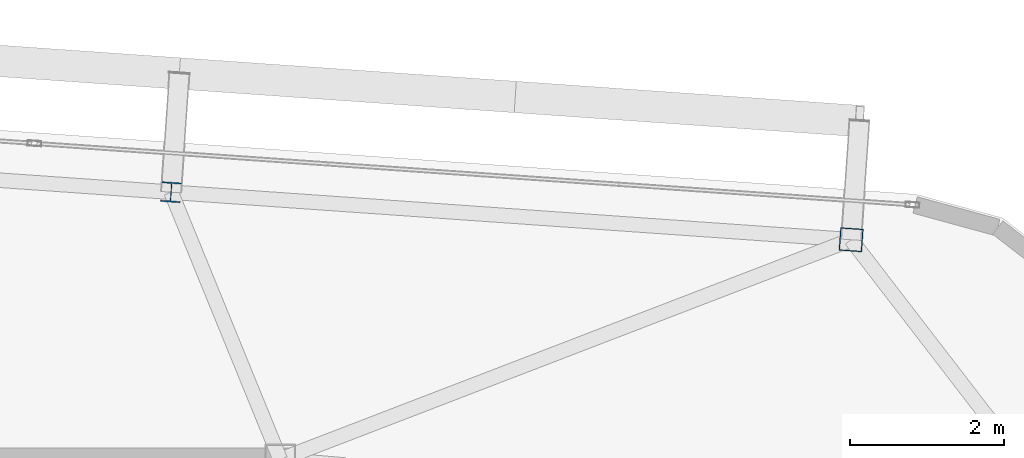
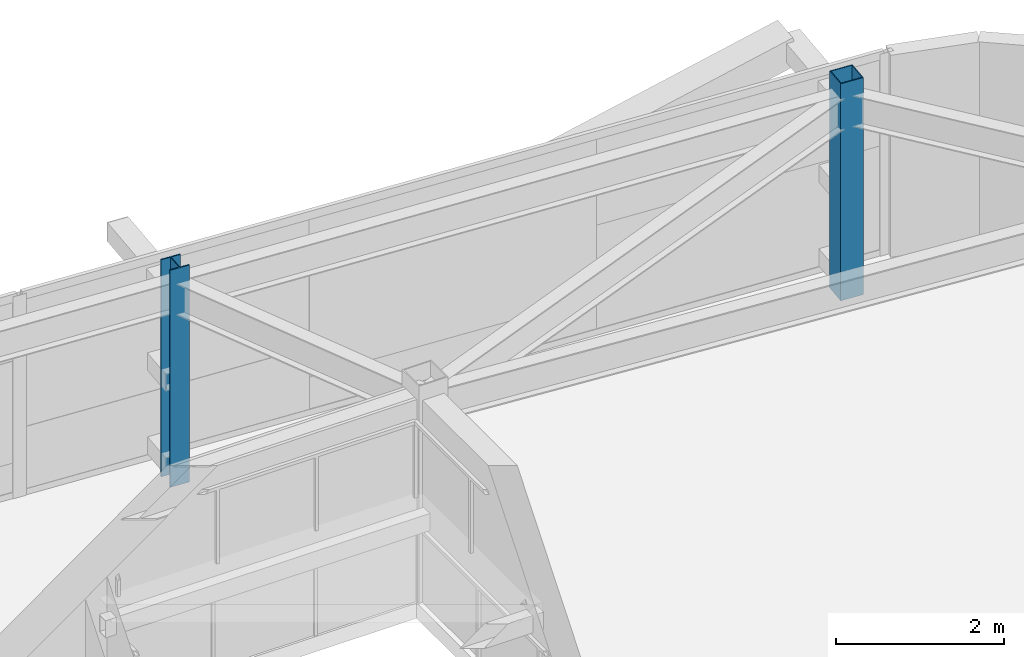
# One storey, part 5 of 39: 2 columns.
"""IFC4 building model written with IfcOpenShell, lengths in metres."""

from ifc_helpers import new_model, si_unit, direction, frame, origin, origin_2d, place, context, subcontext, project, spatial, hollow_rectangle, i_section, extrude, source, transform, mapped, material, material_profile, profile_set, type_object, element, save


model = new_model("IFC4")

# Units and contexts
model_context = context("Model", 3, precision=1e-05, world=origin(), true_north=direction((0.0, 1.0)))
body_context = subcontext(model_context, "Body", "Model", "MODEL_VIEW")
ifc_project = project(units=[si_unit("LENGTHUNIT", "METRE"), si_unit("AREAUNIT", "SQUARE_METRE"), si_unit("VOLUMEUNIT", "CUBIC_METRE"), si_unit("PLANEANGLEUNIT", "RADIAN"), si_unit("MASSUNIT", "GRAM", prefix="KILO")], contexts=[model_context])

# Site, building, storey
site_placement = place(None, origin())
site = spatial("IfcSite", under=ifc_project, at=site_placement, CompositionType="ELEMENT")
building_placement = place(site_placement, origin())
building = spatial("IfcBuilding", under=site, at=building_placement, Name="Taldren Reach Tower", CompositionType="ELEMENT")
storey_placement = place(building_placement, frame((0.0, 0.0, 158.199951171875)))
storey = spatial("IfcBuildingStorey", under=building, at=storey_placement, Name="L48", CompositionType="ELEMENT", Elevation=158.199951171875)

# Columns
ifc_material_1 = material(Name="Steel Gr 450 (C450L0)", Category="steel")
ifc_material_profile_1 = material_profile(ifc_material_1, hollow_rectangle(XDim=0.300048828125, YDim=0.300048828125, WallThickness=0.012451171875, at=origin_2d()), Name="300x300x12.5SHS")
ifc_profile_set_1 = profile_set([ifc_material_profile_1], Name="Steel Gr 450 (C450L0)")
column_type_1 = type_object("IfcColumnType", Name="COL-SHS300", PredefinedType="COLUMN", material=ifc_profile_set_1)
shared_shape_1 = source(origin(), body_context, "Body", "SweptSolid", [
    extrude(hollow_rectangle(XDim=0.300048828125, YDim=0.300048828125, WallThickness=0.012451171875, at=origin_2d()), origin(), (0.0, 0.0, 1.0), 3.150146484375),
])
column_1_placement = place(storey_placement, frame((58.4365234375, 34.861572265625, 0.0), z_axis=(0.0, 0.0, 1.0), x_axis=(0.99756405026, -0.069756473744, 0.0)))
element("IfcColumn", 1, at=column_1_placement, inside=storey, type_object=column_type_1, Name="Block B3 perimeter column N6 L48", PredefinedType="COLUMN", context=body_context, shape_type="MappedRepresentation", body=[
    mapped(shared_shape_1, transform((0.0, 0.0, 0.0), scale=1.0)),
])
ifc_material_2 = material(Name="Steel Gr 350 (350PLUS)", Category="steel")
ifc_material_profile_2 = material_profile(ifc_material_2, i_section(OverallWidth=0.256103515625, OverallDepth=0.260009765625, WebThickness=0.010498046875, FlangeThickness=0.017333984375, at=origin_2d()), Name="250UC89.5")
ifc_profile_set_2 = profile_set([ifc_material_profile_2], Name="Steel Gr 350 (350PLUS)")
column_type_2 = type_object("IfcColumnType", Name="COL-UC250", PredefinedType="COLUMN", material=ifc_profile_set_2)
shared_shape_2 = source(origin(), body_context, "Body", "SweptSolid", [
    extrude(i_section(OverallWidth=0.256103515625, OverallDepth=0.260009765625, WebThickness=0.010498046875, FlangeThickness=0.017333984375, at=origin_2d()), origin(), (0.0, 0.0, 1.0), 3.150146484375),
])
column_2_placement = place(storey_placement, frame((49.578125, 35.48095703125, 0.0), z_axis=(0.0, 0.0, 1.0), x_axis=(0.99756405026, -0.069756473744, 0.0)))
element("IfcColumn", 2, at=column_2_placement, inside=storey, type_object=column_type_2, Name="Block B3 perimeter column N5 L48", PredefinedType="COLUMN", context=body_context, shape_type="MappedRepresentation", body=[
    mapped(shared_shape_2, transform((0.0, 0.0, 0.0), scale=1.0)),
])

save(model, "model.ifc")
